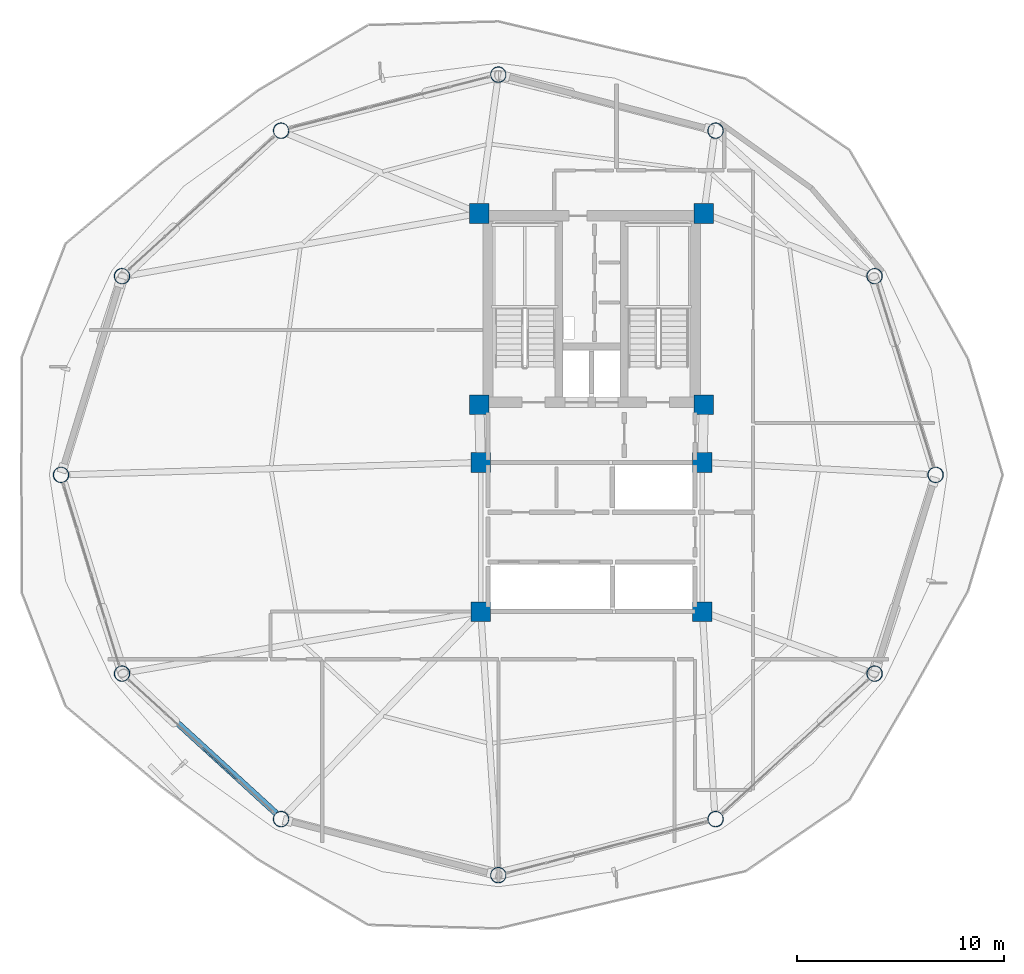
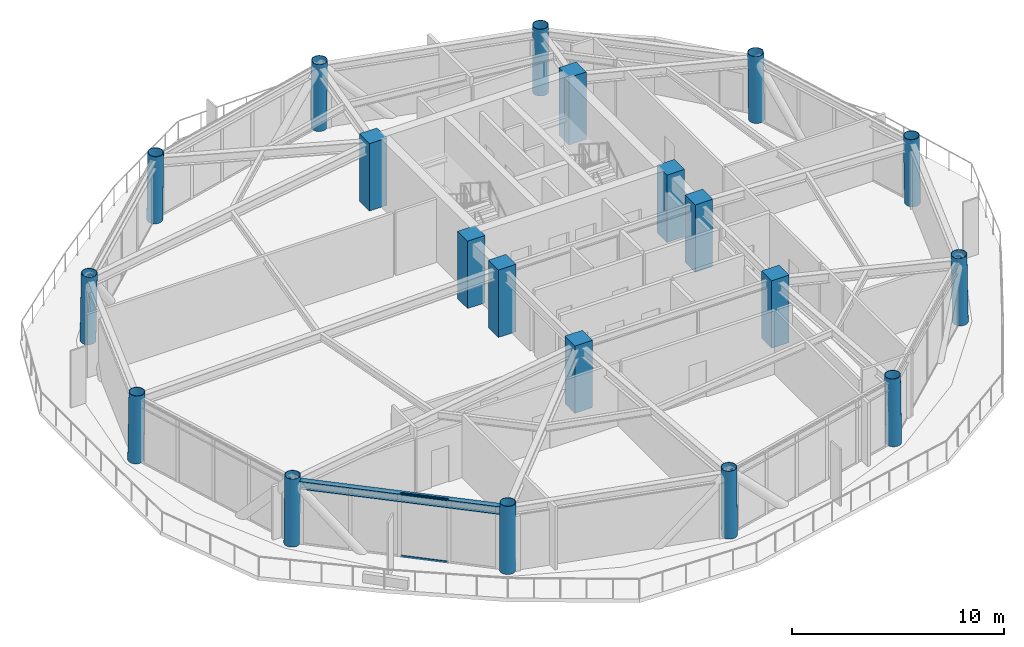
# One storey, part 1 of 23: 20 columns, 2 members, 1 beam, 1 element without a shape of its own.
"""IFC4 building model written with IfcOpenShell, lengths in metres."""

from ifc_helpers import new_model, si_unit, direction, frame, origin, origin_2d, place, context, subcontext, project, spatial, rectangle, hollow_rectangle, hollow_circle, i_section, extrude, material, layer, layer_set, material_profile, profile_set, type_object, element, aggregate, save


model = new_model("IFC4")

# Units and contexts
model_context = context("Model", 3, precision=1e-05, world=origin(), true_north=direction((0.0, 1.0)))
body_context = subcontext(model_context, "Body", "Model", "MODEL_VIEW")
ifc_project = project(units=[si_unit("LENGTHUNIT", "METRE"), si_unit("AREAUNIT", "SQUARE_METRE"), si_unit("VOLUMEUNIT", "CUBIC_METRE"), si_unit("PLANEANGLEUNIT", "RADIAN"), si_unit("MASSUNIT", "GRAM", prefix="KILO")], contexts=[model_context])

# Site, building, storey
site_placement = place(None, origin())
site = spatial("IfcSite", under=ifc_project, at=site_placement, CompositionType="ELEMENT")
building_placement = place(site_placement, origin())
building = spatial("IfcBuilding", under=site, at=building_placement, Name="Varnakorn Sky Granary", CompositionType="ELEMENT")
storey_placement = place(building_placement, frame((0.0, 0.0, 130.5)))
storey = spatial("IfcBuildingStorey", under=building, at=storey_placement, Name="L32", CompositionType="ELEMENT", Elevation=130.5)

# Columns
ifc_material_1 = material(Name="Steel S460M", Category="steel")
ifc_material_profile_1 = material_profile(ifc_material_1, hollow_circle(Radius=0.381103515625, WallThickness=0.028076171875, at=origin_2d()), Name="CHS 762x28")
ifc_profile_set_1 = profile_set([ifc_material_profile_1], Name="Steel S460M")
column_type_1 = type_object("IfcColumnType", Name="COL-DC-Z3", PredefinedType="COLUMN", material=ifc_profile_set_1)
for number, where, z_axis, x_axis, name in (
    (1, (19.616943359375, 0.0, 0.0), (-0.017260533083, 0.0, 0.999851025902), (0.0, -1.0, 0.0), "Drum Perimeter Column DC01 L32"),
    (2, (16.6708984375, 9.595458984375, 0.0), (-0.014992999982, -0.006047596631, 0.999869309723), (0.374076451569, -0.927397869515, 0.0), "Drum Perimeter Column DC02 L32"),
):
    element("IfcColumn", number, at=place(storey_placement, frame(where, z_axis=z_axis, x_axis=x_axis)), inside=storey, type_object=column_type_1, Name=name, PredefinedType="COLUMN", context=body_context, shape_type="SweptSolid", body=[
        extrude(hollow_circle(Radius=0.381103515625, WallThickness=0.028076171875, at=origin_2d()), origin(), (0.0, 0.0, 1.0), 3.87548828125),
    ])
for number, where, z_axis, x_axis, name in (
    (3, (8.990966796875, 16.619873046875, 0.0), (-0.008630753208, -0.010520699166, 0.999907408207), (0.773131577433, -0.634245665319, 0.0), "Drum Perimeter Column DC03 L32"),
    (4, (-1.5, 19.325927734375, 0.0), (0.0, -0.012095889218, 0.999926842056), (1.0, 0.0, 0.0), "Drum Perimeter Column DC04 L32"),
    (5, (-11.990966796875, 16.619873046875, 0.0), (0.008630753208, -0.010520699166, 0.999907408207), (0.773131577433, 0.634245665319, 0.0), "Drum Perimeter Column DC05 L32"),
):
    element("IfcColumn", number, at=place(storey_placement, frame(where, z_axis=z_axis, x_axis=x_axis)), inside=storey, type_object=column_type_1, Name=name, PredefinedType="COLUMN", context=body_context, shape_type="SweptSolid", body=[
        extrude(hollow_circle(Radius=0.381103515625, WallThickness=0.028076171875, at=origin_2d()), origin(), (0.0, 0.0, 1.0), 3.875244140625),
    ])
for number, where, z_axis, x_axis, name in (
    (6, (-19.6708984375, 9.595458984375, 0.0), (0.014992999982, -0.006047596631, 0.999869309723), (0.374076451569, 0.927397869515, 0.0), "Drum Perimeter Column DC06 L32"),
    (7, (-22.616943359375, 0.0, 0.0), (0.017260533083, 0.0, 0.999851025902), (0.0, 1.0, 0.0), "Drum Perimeter Column DC07 L32"),
    (8, (-19.6708984375, -9.595458984375, 0.0), (0.014992999982, 0.006047596631, 0.999869309723), (-0.374076451569, 0.927397869515, 0.0), "Drum Perimeter Column DC08 L32"),
):
    element("IfcColumn", number, at=place(storey_placement, frame(where, z_axis=z_axis, x_axis=x_axis)), inside=storey, type_object=column_type_1, Name=name, PredefinedType="COLUMN", context=body_context, shape_type="SweptSolid", body=[
        extrude(hollow_circle(Radius=0.381103515625, WallThickness=0.028076171875, at=origin_2d()), origin(), (0.0, 0.0, 1.0), 3.87548828125),
    ])
for number, where, z_axis, x_axis, name in (
    (9, (-11.990966796875, -16.619873046875, 0.0), (0.008630753208, 0.010520699166, 0.999907408207), (-0.773131577433, 0.634245665319, 0.0), "Drum Perimeter Column DC09 L32"),
    (10, (-1.5, -19.325927734375, 0.0), (0.0, 0.012095889218, 0.999926842056), (-1.0, 0.0, 0.0), "Drum Perimeter Column DC10 L32"),
    (11, (8.990966796875, -16.619873046875, 0.0), (-0.008630753208, 0.010520699166, 0.999907408207), (-0.773131577433, -0.634245665319, 0.0), "Drum Perimeter Column DC11 L32"),
):
    element("IfcColumn", number, at=place(storey_placement, frame(where, z_axis=z_axis, x_axis=x_axis)), inside=storey, type_object=column_type_1, Name=name, PredefinedType="COLUMN", context=body_context, shape_type="SweptSolid", body=[
        extrude(hollow_circle(Radius=0.381103515625, WallThickness=0.028076171875, at=origin_2d()), origin(), (0.0, 0.0, 1.0), 3.875244140625),
    ])
column_placement = place(storey_placement, frame((16.6708984375, -9.595458984375, 0.0), z_axis=(-0.014992999982, 0.006047596631, 0.999869309723), x_axis=(-0.374076451569, -0.927397869515, 0.0)))
element("IfcColumn", 12, at=column_placement, inside=storey, type_object=column_type_1, Name="Drum Perimeter Column DC12 L32", PredefinedType="COLUMN", context=body_context, shape_type="SweptSolid", body=[
    extrude(hollow_circle(Radius=0.381103515625, WallThickness=0.028076171875, at=origin_2d()), origin(), (0.0, 0.0, 1.0), 3.87548828125),
])
ifc_material_2 = material(Name="Concrete C50/60", Category="concrete")
ifc_material_profile_2 = material_profile(ifc_material_2, rectangle(XDim=0.949951171875, YDim=0.949951171875, at=origin_2d()), Name="RC 950x950")
ifc_profile_set_2 = profile_set([ifc_material_profile_2], Name="Concrete C50/60")
column_type_2 = type_object("IfcColumnType", Name="COL-MC-Z3", PredefinedType="COLUMN", material=ifc_profile_set_2)
for number, where, z_axis, x_axis, name in (
    (13, (-2.419921875, 12.6201171875, 0.0), (0.0, 0.0, 1.0), (1.0, 0.0, 0.0), "Backbone Mega-Column MC1 L32"),
    (14, (8.419921875, 12.6201171875, 0.0), (0.0, 0.0, 1.0), (1.0, 0.0, 0.0), "Backbone Mega-Column MC2 L32"),
    (15, (-2.419921875, 3.3798828125, 0.0), (0.0, 0.0, 1.0), (1.0, 0.0, 0.0), "Backbone Mega-Column MC3 L32"),
    (16, (8.419921875, 3.3798828125, 0.0), (0.0, 0.0, 1.0), (1.0, 0.0, 0.0), "Backbone Mega-Column MC4 L32"),
    (17, (-2.35009765625, 0.60009765625, 0.0), (0.0, 0.0, 1.0), (1.0, 0.0, 0.0), "Backbone Mega-Column MC5 L32"),
    (18, (8.35009765625, 0.60009765625, 0.0), (0.0, 0.0, 1.0), (1.0, 0.0, 0.0), "Backbone Mega-Column MC6 L32"),
    (19, (-2.35009765625, -6.60009765625, 0.0), (0.0, 0.0, 1.0), (1.0, 0.0, 0.0), "Backbone Mega-Column MC7 L32"),
    (20, (8.35009765625, -6.60009765625, 0.0), (0.0, 0.0, 1.0), (1.0, 0.0, 0.0), "Backbone Mega-Column MC8 L32"),
):
    element("IfcColumn", number, at=place(storey_placement, frame(where, z_axis=z_axis, x_axis=x_axis)), inside=storey, type_object=column_type_2, Name=name, PredefinedType="COLUMN", context=body_context, shape_type="SweptSolid", body=[
        extrude(rectangle(XDim=0.949951171875, YDim=0.949951171875, at=origin_2d()), origin(), (0.0, 0.0, 1.0), 3.875),
    ])

# Beam
ifc_material_3 = material(Name="Steel S355JR", Category="steel")
ifc_material_profile_3 = material_profile(ifc_material_3, i_section(OverallWidth=0.300048828125, OverallDepth=0.449951171875, WebThickness=0.013916015625, FlangeThickness=0.02587890625, at=origin_2d()), Name="HE 450 B")
ifc_profile_set_3 = profile_set([ifc_material_profile_3], Name="Steel S355JR")
beam_type = type_object("IfcBeamType", Name="BM-SPD-Z3", PredefinedType="SPANDREL", material=ifc_profile_set_3)
beam_placement = place(storey_placement, frame((-19.343017578125, -9.819091796875, 3.4150390625), z_axis=(0.737648769429, -0.6751846362, 0.0), x_axis=(0.6751846362, 0.737648769429, 0.0)))
element("IfcBeam", 21, at=beam_placement, inside=storey, type_object=beam_type, Name="Perimeter Spandrel Ring Beam RB08 L32", PredefinedType="SPANDREL", context=body_context, shape_type="SweptSolid", body=[
    extrude(i_section(OverallWidth=0.300048828125, OverallDepth=0.449951171875, WebThickness=0.013916015625, FlangeThickness=0.02587890625, at=origin_2d()), origin(), (0.0, 0.0, 1.0), 9.646240234375),
])

# Curtain wall, members
ifc_material_4 = material(Name="Anodised Bronze Aluminium Alloy 6063-T6", Category="aluminium")
ifc_layer = layer(ifc_material_4, 0.179931640625, Name="Anodised Bronze Aluminium Alloy 6063-T6")
ifc_layer_set = layer_set([ifc_layer], Name="Anodised Bronze Aluminium Alloy 6063-T6")
curtain_wall_type = type_object("IfcCurtainWallType", Name="CW-FRM-2", PredefinedType="USERDEFINED", material=ifc_layer_set)
curtain_wall_placement = place(storey_placement, origin())
curtain_wall = element("IfcCurtainWall", 22, at=curtain_wall_placement, inside=storey, type_object=curtain_wall_type, Name="Unitised Curtain Wall CW4 CW-L32-B08", ObjectType="CURTAIN WALL", PredefinedType="USERDEFINED")
ifc_material_profile_4 = material_profile(ifc_material_4, hollow_rectangle(XDim=0.06494140625, YDim=0.1201171875, WallThickness=0.00341796875, at=origin_2d()), Name="ALU TRAN 65x120")
ifc_profile_set_4 = profile_set([ifc_material_profile_4], Name="Anodised Bronze Aluminium Alloy 6063-T6")
member_type = type_object("IfcMemberType", Name="CW-FRM-2-TRAN", PredefinedType="USERDEFINED", material=ifc_profile_set_4)
member_1_placement = place(storey_placement, frame((-14.099609375, -14.69140625, 0.032470703125), z_axis=(-0.737881514126, 0.674930271295, 0.0), x_axis=(-0.674930271295, -0.737881514126, 0.0)))
member_1 = element("IfcMember", 23, at=member_1_placement, type_object=member_type, Name="CW4 transom 2.1", ObjectType="TRANSOM", PredefinedType="USERDEFINED", context=body_context, shape_type="SweptSolid", body=[
    extrude(hollow_rectangle(XDim=0.06494140625, YDim=0.1201171875, WallThickness=0.00341796875, at=origin_2d()), origin(), (0.0, 0.0, 1.0), 2.3115234375),
])
member_2_placement = place(storey_placement, frame((-14.099609375, -14.69140625, 3.607421875), z_axis=(-0.737881514126, 0.674930271295, 0.0), x_axis=(-0.674930271295, -0.737881514126, 0.0)))
member_2 = element("IfcMember", 24, at=member_2_placement, type_object=member_type, Name="CW4 transom 2.2", ObjectType="TRANSOM", PredefinedType="USERDEFINED", context=body_context, shape_type="SweptSolid", body=[
    extrude(hollow_rectangle(XDim=0.06494140625, YDim=0.1201171875, WallThickness=0.00341796875, at=origin_2d()), origin(), (0.0, 0.0, 1.0), 2.3115234375),
])
aggregate(curtain_wall, [member_1, member_2])

save(model, "model.ifc")
